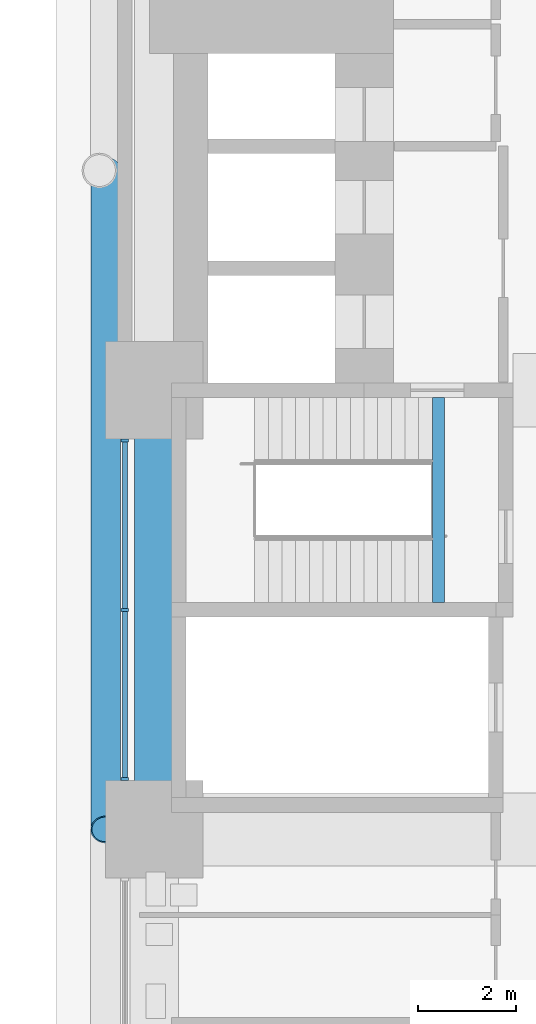
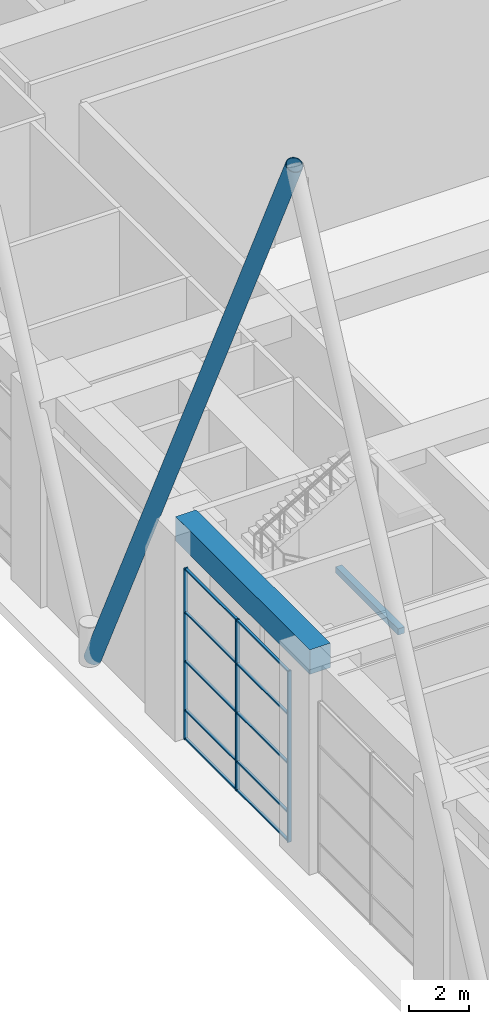
# One storey, part 5 of 44: 14 members, 2 beams, 1 element without a shape of its own.
"""IFC4 building model written with IfcOpenShell, lengths in metres."""

from ifc_helpers import new_model, si_unit, direction, frame, origin, origin_2d, place, context, subcontext, project, spatial, rectangle, hollow_circle, extrude, material, material_profile, profile_set, type_object, element, aggregate, save


model = new_model("IFC4")

# Units and contexts
model_context = context("Model", 3, precision=1e-05, world=origin(), true_north=direction((0.0, 1.0)))
body_context = subcontext(model_context, "Body", "Model", "MODEL_VIEW")
ifc_project = project(units=[si_unit("LENGTHUNIT", "METRE"), si_unit("AREAUNIT", "SQUARE_METRE"), si_unit("VOLUMEUNIT", "CUBIC_METRE"), si_unit("PLANEANGLEUNIT", "RADIAN"), si_unit("MASSUNIT", "GRAM", prefix="KILO")], contexts=[model_context])

# Site, building, storey
site_placement = place(None, origin())
site = spatial("IfcSite", under=ifc_project, at=site_placement, CompositionType="ELEMENT")
building_placement = place(site_placement, origin())
building = spatial("IfcBuilding", under=site, at=building_placement, Name="Firuza Court", CompositionType="ELEMENT")
storey_placement = place(building_placement, origin())
storey = spatial("IfcBuildingStorey", under=building, at=storey_placement, Name="L00", CompositionType="ELEMENT", Elevation=0.0)

# Member
ifc_material_1 = material(Name="Steel S355", Category="steel")
ifc_material_profile_1 = material_profile(ifc_material_1, hollow_circle(Radius=0.304931640625, WallThickness=0.02490234375, at=origin_2d()), Name="CHS 610x25")
ifc_profile_set_1 = profile_set([ifc_material_profile_1], Name="Steel S355")
member_type_1 = type_object("IfcMemberType", Name="Diagrid diagonal CHS 610x25 S355", PredefinedType="USERDEFINED", material=ifc_profile_set_1)
member_1_placement = place(storey_placement, frame((-0.9951171875, 31.5, 0.130859375), z_axis=(0.0, -0.430315969648, 0.902678329343), x_axis=(1.0, 0.0, 0.0)))
element("IfcMember", 1, at=member_1_placement, inside=storey, type_object=member_type_1, Name="Diagrid diagonal L00 to L05", ObjectType="DIAGRID", PredefinedType="USERDEFINED", context=body_context, shape_type="SweptSolid", body=[
    extrude(hollow_circle(Radius=0.304931640625, WallThickness=0.02490234375, at=origin_2d()), origin(), (0.0, 0.0, 1.0), 31.372314453125),
])

# Beam
ifc_material_2 = material(Name="Concrete C40/50", Category="concrete")
ifc_material_profile_2 = material_profile(ifc_material_2, rectangle(XDim=0.25, YDim=0.25, at=origin_2d()), Name="RC 250x250")
ifc_profile_set_2 = profile_set([ifc_material_profile_2], Name="Concrete C40/50")
beam_type_1 = type_object("IfcBeamType", Name="Landing beam RC 250x250 C40/50", PredefinedType="BEAM", material=ifc_profile_set_2)
beam_1_placement = place(storey_placement, frame((5.824951171875, 22.64990234375, 4.175048828125), z_axis=(0.0, 1.0, 0.0), x_axis=(-1.0, 0.0, 0.0)))
element("IfcBeam", 2, at=beam_1_placement, inside=storey, type_object=beam_type_1, Name="Landing beam S2 L00", PredefinedType="BEAM", context=body_context, shape_type="SweptSolid", body=[
    extrude(rectangle(XDim=0.25, YDim=0.25, at=origin_2d()), origin(), (0.0, 0.0, 1.0), 4.2001953125),
])

# Curtain wall, members
ifc_material_3 = material(Name="Aluminium curtain wall, triple clear glazing", Category="aluminium")
curtain_wall_type = type_object("IfcCurtainWallType", Name="Ground lobby stick shopfront CW2", PredefinedType="NOTDEFINED", material=ifc_material_3)
curtain_wall_placement = place(storey_placement, origin())
curtain_wall = element("IfcCurtainWall", 3, at=curtain_wall_placement, inside=storey, type_object=curtain_wall_type, Name="Ground lobby stick shopfront CW2 L00", PredefinedType="NOTDEFINED")
ifc_material_4 = material(Name="Aluminium EN AW-6060 T66", Category="aluminium")
ifc_material_profile_3 = material_profile(ifc_material_4, rectangle(XDim=0.14990234375, YDim=0.06005859375, at=origin_2d()), Name="Mullion 150 x 60 CW2")
ifc_profile_set_3 = profile_set([ifc_material_profile_3], Name="Aluminium EN AW-6060 T66")
member_type_2 = type_object("IfcMemberType", Name="Mullion 150 x 60 CW2", PredefinedType="MULLION", material=ifc_profile_set_3)
member_2_placement = place(storey_placement, frame((-0.60009765625, 25.969970703125, 0.0), z_axis=(0.0, 0.0, 1.0), x_axis=(1.0, 0.0, 0.0)))
member_2 = element("IfcMember", 4, at=member_2_placement, type_object=member_type_2, Name="CW2 mullion 1", PredefinedType="MULLION", context=body_context, shape_type="SweptSolid", body=[
    extrude(rectangle(XDim=0.14990234375, YDim=0.06005859375, at=origin_2d()), origin(), (0.0, 0.0, 1.0), 7.0),
])
member_3_placement = place(storey_placement, frame((-0.60009765625, 22.5, 0.0), z_axis=(0.0, 0.0, 1.0), x_axis=(1.0, 0.0, 0.0)))
member_3 = element("IfcMember", 5, at=member_3_placement, type_object=member_type_2, Name="CW2 mullion 2", PredefinedType="MULLION", context=body_context, shape_type="SweptSolid", body=[
    extrude(rectangle(XDim=0.14990234375, YDim=0.06005859375, at=origin_2d()), origin(), (0.0, 0.0, 1.0), 7.0),
])
member_4_placement = place(storey_placement, frame((-0.60009765625, 19.030029296875, 0.0), z_axis=(0.0, 0.0, 1.0), x_axis=(1.0, 0.0, 0.0)))
member_4 = element("IfcMember", 6, at=member_4_placement, type_object=member_type_2, Name="CW2 mullion 3", PredefinedType="MULLION", context=body_context, shape_type="SweptSolid", body=[
    extrude(rectangle(XDim=0.14990234375, YDim=0.06005859375, at=origin_2d()), origin(), (0.0, 0.0, 1.0), 7.0),
])

# Beam
ifc_material_5 = material(Name="Concrete C60/75", Category="concrete")
ifc_material_profile_4 = material_profile(ifc_material_5, rectangle(XDim=0.800048828125, YDim=1.0, at=origin_2d()), Name="RC 800x1000")
ifc_profile_set_4 = profile_set([ifc_material_profile_4], Name="Concrete C60/75")
beam_type_2 = type_object("IfcBeamType", Name="Transfer girder RC 800x1000 C60/75", PredefinedType="USERDEFINED", material=ifc_profile_set_4)
beam_2_placement = place(storey_placement, frame((0.0, 27.0, 7.89990234375), z_axis=(0.0, -1.0, 0.0), x_axis=(1.0, 0.0, 0.0)))
element("IfcBeam", 7, at=beam_2_placement, inside=storey, type_object=beam_type_2, Name="Transfer girder TG2 level L01", ObjectType="TRANSFER GIRDER", PredefinedType="USERDEFINED", context=body_context, shape_type="SweptSolid", body=[
    extrude(rectangle(XDim=0.800048828125, YDim=1.0, at=origin_2d()), origin(), (0.0, 0.0, 1.0), 9.0),
])

# Member
ifc_material_6 = material(Name="Aluminium EN AW-6060 T66", Category="aluminium")
ifc_material_profile_5 = material_profile(ifc_material_6, rectangle(XDim=0.10009765625, YDim=0.06005859375, at=origin_2d()), Name="Transom 100 x 60 CW2")
ifc_profile_set_5 = profile_set([ifc_material_profile_5], Name="Aluminium EN AW-6060 T66")
member_type_3 = type_object("IfcMemberType", Name="Transom 100 x 60 CW2", PredefinedType="USERDEFINED", material=ifc_profile_set_5)
member_5_placement = place(storey_placement, frame((-0.60009765625, 25.93994140625, 0.030029296875), z_axis=(0.0, -1.0, 0.0), x_axis=(1.0, 0.0, 0.0)))
member_5 = element("IfcMember", 8, at=member_5_placement, type_object=member_type_3, Name="CW2 transom 1.1", ObjectType="TRANSOM", PredefinedType="USERDEFINED", context=body_context, shape_type="SweptSolid", body=[
    extrude(rectangle(XDim=0.10009765625, YDim=0.06005859375, at=origin_2d()), origin(), (0.0, 0.0, 1.0), 3.409912109375),
])

member_6_placement = place(storey_placement, frame((-0.60009765625, 25.93994140625, 1.199951171875), z_axis=(0.0, -1.0, 0.0), x_axis=(1.0, 0.0, 0.0)))
member_6 = element("IfcMember", 9, at=member_6_placement, type_object=member_type_3, Name="CW2 transom 1.2", ObjectType="TRANSOM", PredefinedType="USERDEFINED", context=body_context, shape_type="SweptSolid", body=[
    extrude(rectangle(XDim=0.10009765625, YDim=0.06005859375, at=origin_2d()), origin(), (0.0, 0.0, 1.0), 3.409912109375),
])

member_7_placement = place(storey_placement, frame((-0.60009765625, 25.93994140625, 3.199951171875), z_axis=(0.0, -1.0, 0.0), x_axis=(1.0, 0.0, 0.0)))
member_7 = element("IfcMember", 10, at=member_7_placement, type_object=member_type_3, Name="CW2 transom 1.3", ObjectType="TRANSOM", PredefinedType="USERDEFINED", context=body_context, shape_type="SweptSolid", body=[
    extrude(rectangle(XDim=0.10009765625, YDim=0.06005859375, at=origin_2d()), origin(), (0.0, 0.0, 1.0), 3.409912109375),
])

member_8_placement = place(storey_placement, frame((-0.60009765625, 25.93994140625, 5.199951171875), z_axis=(0.0, -1.0, 0.0), x_axis=(1.0, 0.0, 0.0)))
member_8 = element("IfcMember", 11, at=member_8_placement, type_object=member_type_3, Name="CW2 transom 1.4", ObjectType="TRANSOM", PredefinedType="USERDEFINED", context=body_context, shape_type="SweptSolid", body=[
    extrude(rectangle(XDim=0.10009765625, YDim=0.06005859375, at=origin_2d()), origin(), (0.0, 0.0, 1.0), 3.409912109375),
])

member_9_placement = place(storey_placement, frame((-0.60009765625, 25.93994140625, 6.969970703125), z_axis=(0.0, -1.0, 0.0), x_axis=(1.0, 0.0, 0.0)))
member_9 = element("IfcMember", 12, at=member_9_placement, type_object=member_type_3, Name="CW2 transom 1.5", ObjectType="TRANSOM", PredefinedType="USERDEFINED", context=body_context, shape_type="SweptSolid", body=[
    extrude(rectangle(XDim=0.10009765625, YDim=0.06005859375, at=origin_2d()), origin(), (0.0, 0.0, 1.0), 3.409912109375),
])

member_10_placement = place(storey_placement, frame((-0.60009765625, 22.469970703125, 0.030029296875), z_axis=(0.0, -1.0, 0.0), x_axis=(1.0, 0.0, 0.0)))
member_10 = element("IfcMember", 13, at=member_10_placement, type_object=member_type_3, Name="CW2 transom 2.1", ObjectType="TRANSOM", PredefinedType="USERDEFINED", context=body_context, shape_type="SweptSolid", body=[
    extrude(rectangle(XDim=0.10009765625, YDim=0.06005859375, at=origin_2d()), origin(), (0.0, 0.0, 1.0), 3.409912109375),
])

member_11_placement = place(storey_placement, frame((-0.60009765625, 22.469970703125, 1.199951171875), z_axis=(0.0, -1.0, 0.0), x_axis=(1.0, 0.0, 0.0)))
member_11 = element("IfcMember", 14, at=member_11_placement, type_object=member_type_3, Name="CW2 transom 2.2", ObjectType="TRANSOM", PredefinedType="USERDEFINED", context=body_context, shape_type="SweptSolid", body=[
    extrude(rectangle(XDim=0.10009765625, YDim=0.06005859375, at=origin_2d()), origin(), (0.0, 0.0, 1.0), 3.409912109375),
])

member_12_placement = place(storey_placement, frame((-0.60009765625, 22.469970703125, 3.199951171875), z_axis=(0.0, -1.0, 0.0), x_axis=(1.0, 0.0, 0.0)))
member_12 = element("IfcMember", 15, at=member_12_placement, type_object=member_type_3, Name="CW2 transom 2.3", ObjectType="TRANSOM", PredefinedType="USERDEFINED", context=body_context, shape_type="SweptSolid", body=[
    extrude(rectangle(XDim=0.10009765625, YDim=0.06005859375, at=origin_2d()), origin(), (0.0, 0.0, 1.0), 3.409912109375),
])

member_13_placement = place(storey_placement, frame((-0.60009765625, 22.469970703125, 5.199951171875), z_axis=(0.0, -1.0, 0.0), x_axis=(1.0, 0.0, 0.0)))
member_13 = element("IfcMember", 16, at=member_13_placement, type_object=member_type_3, Name="CW2 transom 2.4", ObjectType="TRANSOM", PredefinedType="USERDEFINED", context=body_context, shape_type="SweptSolid", body=[
    extrude(rectangle(XDim=0.10009765625, YDim=0.06005859375, at=origin_2d()), origin(), (0.0, 0.0, 1.0), 3.409912109375),
])

member_14_placement = place(storey_placement, frame((-0.60009765625, 22.469970703125, 6.969970703125), z_axis=(0.0, -1.0, 0.0), x_axis=(1.0, 0.0, 0.0)))
member_14 = element("IfcMember", 17, at=member_14_placement, type_object=member_type_3, Name="CW2 transom 2.5", ObjectType="TRANSOM", PredefinedType="USERDEFINED", context=body_context, shape_type="SweptSolid", body=[
    extrude(rectangle(XDim=0.10009765625, YDim=0.06005859375, at=origin_2d()), origin(), (0.0, 0.0, 1.0), 3.409912109375),
])

aggregate(curtain_wall, [member_2, member_3, member_4, member_5, member_6, member_7, member_8, member_9, member_10, member_11, member_12, member_13, member_14])

save(model, "model.ifc")
